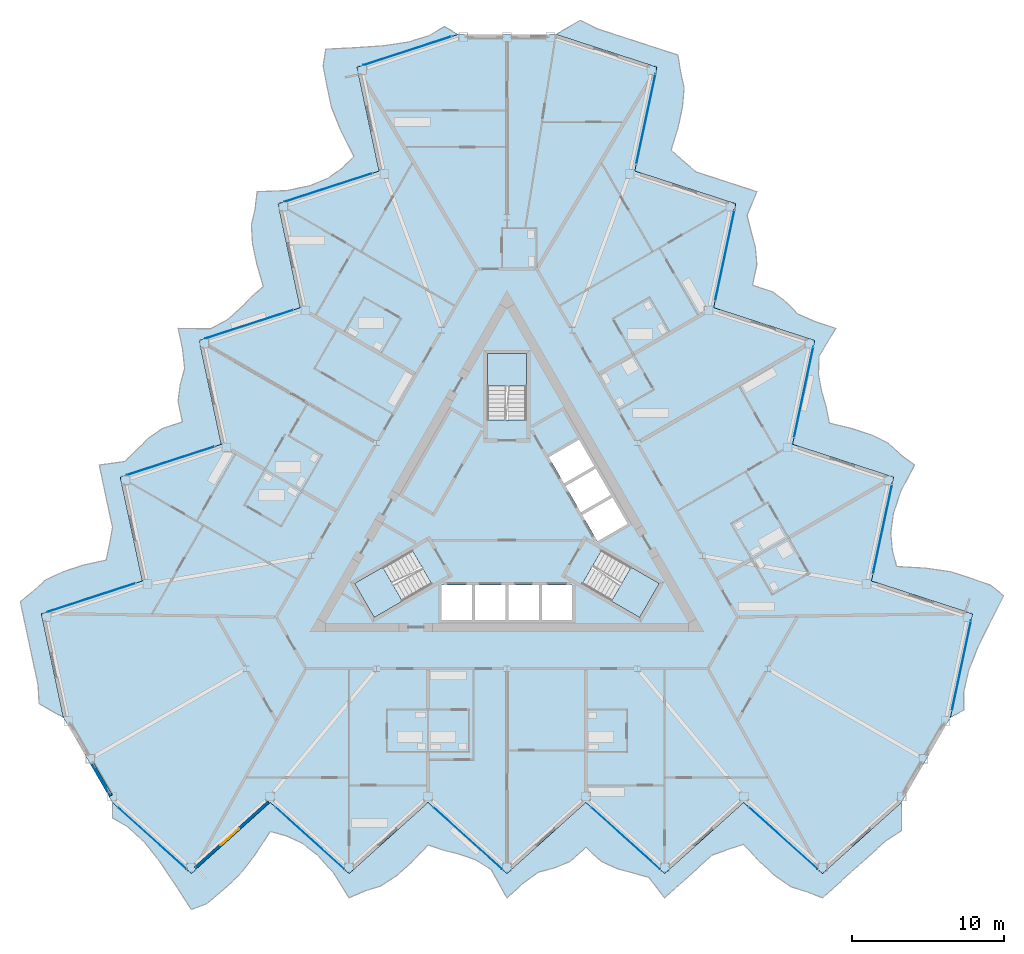
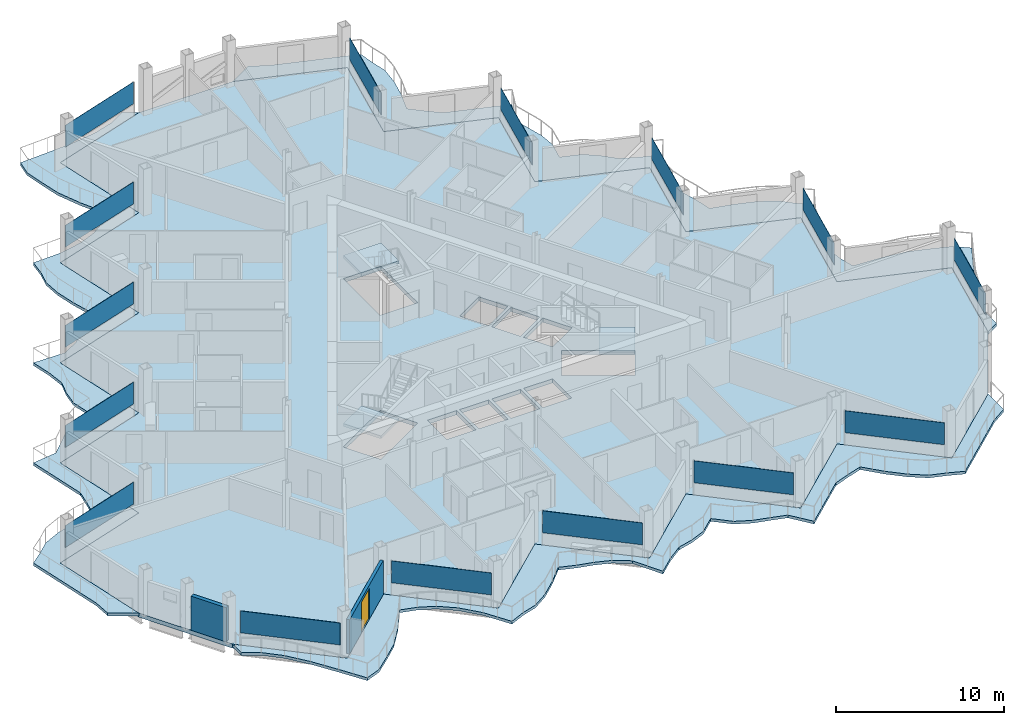
# One storey, part 12 of 26: 15 plates, 7 slabs, 2 walls, 1 door, 1 opening, 18 elements without a shape of their own.
"""IFC4 building model written with IfcOpenShell, lengths in metres."""

from ifc_helpers import new_model, si_unit, direction, frame, frame_2d, origin, origin_2d, place, context, subcontext, project, spatial, polyline, rectangle, outline, extrude, material, layer, layer_set, type_object, element, fill, aggregate, save


model = new_model("IFC4")

# Units and contexts
model_context = context("Model", 3, precision=1e-05, world=origin(), true_north=direction((0.0, 1.0)))
body_context = subcontext(model_context, "Body", "Model", "MODEL_VIEW")
ifc_project = project(units=[si_unit("LENGTHUNIT", "METRE"), si_unit("AREAUNIT", "SQUARE_METRE"), si_unit("VOLUMEUNIT", "CUBIC_METRE"), si_unit("PLANEANGLEUNIT", "RADIAN"), si_unit("MASSUNIT", "GRAM", prefix="KILO")], contexts=[model_context])

# Site, building, storey
site_placement = place(None, origin())
site = spatial("IfcSite", under=ifc_project, at=site_placement, CompositionType="ELEMENT")
building_placement = place(site_placement, origin())
building = spatial("IfcBuilding", under=site, at=building_placement, Name="Cormorant Prow Tower", CompositionType="ELEMENT")
storey_placement = place(building_placement, frame((0.0, 0.0, 325.60009765625)))
storey = spatial("IfcBuildingStorey", under=building, at=storey_placement, Name="L72", CompositionType="ELEMENT", Elevation=325.60009765625)

# Slabs
ifc_material_1 = material(Name="Concrete C40/50", Category="concrete")
ifc_layer_1 = layer(ifc_material_1, 0.199951171875)
ifc_layer_set_1 = layer_set([ifc_layer_1], Name="Concrete C40/50")
slab_type_1 = type_object("IfcSlabType", Name="Balcony slab 200", PredefinedType="FLOOR", material=ifc_layer_set_1)
slab_1_placement = place(storey_placement, frame((0.0, 0.0, -0.2001953125)))
element("IfcSlab", 1, at=slab_1_placement, inside=storey, type_object=slab_type_1, Name="Balcony slab S L72", PredefinedType="FLOOR", context=body_context, shape_type="SweptSolid", body=[
    extrude(outline(polyline([(-25.9736328125, -18.718017578125), (-25.9736328125, -19.734130859375), (-24.9345703125, -20.33837890625), (-23.895751953125, -21.299560546875), (-22.856689453125, -22.610595703125), (-21.81787109375, -24.16064453125), (-20.77880859375, -25.769287109375), (-19.739990234375, -25.367919921875), (-18.700927734375, -24.474609375), (-17.662109375, -23.5390625), (-16.623046875, -22.214111328125), (-15.584228515625, -20.627685546875), (-14.545166015625, -20.90966796875), (-13.50634765625, -21.380615234375), (-12.46728515625, -22.177490234375), (-11.428466796875, -23.3408203125), (-10.389404296875, -24.995361328125), (-9.3505859375, -24.540283203125), (-8.3115234375, -24.223876953125), (-7.272705078125, -23.5390625), (-6.233642578125, -22.603515625), (-5.19482421875, -21.515625), (-4.15576171875, -21.864990234375), (-3.116943359375, -22.123046875), (-2.077880859375, -22.488525390625), (-1.0390625, -23.129150390625), (0.0, -24.995361328125), (1.0390625, -24.06005859375), (2.077880859375, -23.300537109375), (3.116943359375, -23.0322265625), (4.15576171875, -22.603515625), (5.19482421875, -21.668212890625), (6.233642578125, -22.603515625), (7.272705078125, -23.083984375), (8.3115234375, -23.358154296875), (9.3505859375, -23.652099609375), (10.389404296875, -24.995361328125), (11.428466796875, -24.06005859375), (12.46728515625, -23.12451171875), (13.50634765625, -22.18896484375), (14.545166015625, -21.80859375), (15.584228515625, -21.474365234375), (16.623046875, -22.603515625), (17.662109375, -23.5390625), (18.700927734375, -24.267578125), (19.739990234375, -24.597412109375), (20.77880859375, -24.995361328125), (21.81787109375, -24.06005859375), (22.856689453125, -23.12451171875), (23.895751953125, -22.18896484375), (24.9345703125, -21.253662109375), (25.9736328125, -20.56982421875), (25.9736328125, -18.718017578125), (24.9345703125, -19.653564453125), (23.895751953125, -20.589111328125), (22.856689453125, -21.5244140625), (21.81787109375, -22.4599609375), (20.77880859375, -23.3955078125), (19.739990234375, -22.4599609375), (18.700927734375, -21.5244140625), (17.662109375, -20.589111328125), (16.623046875, -19.653564453125), (15.584228515625, -18.718017578125), (14.545166015625, -19.653564453125), (13.50634765625, -20.589111328125), (12.46728515625, -21.5244140625), (11.428466796875, -22.4599609375), (10.389404296875, -23.3955078125), (9.3505859375, -22.4599609375), (8.3115234375, -21.5244140625), (7.272705078125, -20.589111328125), (6.233642578125, -19.653564453125), (5.19482421875, -18.718017578125), (4.15576171875, -19.653564453125), (3.116943359375, -20.589111328125), (2.077880859375, -21.5244140625), (1.0390625, -22.4599609375), (0.0, -23.3955078125), (-1.0390625, -22.4599609375), (-2.077880859375, -21.5244140625), (-3.116943359375, -20.589111328125), (-4.15576171875, -19.653564453125), (-5.19482421875, -18.718017578125), (-6.233642578125, -19.653564453125), (-7.272705078125, -20.589111328125), (-8.3115234375, -21.5244140625), (-9.3505859375, -22.4599609375), (-10.389404296875, -23.3955078125), (-11.428466796875, -22.4599609375), (-12.46728515625, -21.5244140625), (-13.50634765625, -20.589111328125), (-14.545166015625, -19.653564453125), (-15.584228515625, -18.718017578125), (-16.623046875, -19.653564453125), (-17.662109375, -20.589111328125), (-18.700927734375, -21.5244140625), (-19.739990234375, -22.4599609375), (-20.77880859375, -23.3955078125), (-21.81787109375, -22.4599609375), (-22.856689453125, -21.5244140625), (-23.895751953125, -20.589111328125), (-24.9345703125, -19.653564453125), (-25.9736328125, -18.718017578125)])), origin(), (0.0, 0.0, 1.0), 0.2001953125),
])
slab_2_placement = place(storey_placement, frame((0.0, 0.0, -0.2001953125)))
element("IfcSlab", 2, at=slab_2_placement, inside=storey, type_object=slab_type_1, Name="Balcony slab ENE L72", PredefinedType="FLOOR", context=body_context, shape_type="SweptSolid", body=[
    extrude(outline(polyline([(29.197021484375, -13.134765625), (30.0771484375, -12.626708984375), (30.080810546875, -11.4248046875), (30.393798828125, -10.04443359375), (31.009521484375, -8.4892578125), (31.83251953125, -6.814453125), (32.706298828125, -5.1103515625), (31.839111328125, -4.411376953125), (30.546142578125, -3.958251953125), (29.21630859375, -3.526123046875), (27.549560546875, -3.288818359375), (25.65625, -3.182373046875), (25.380859375, -2.1416015625), (25.269287109375, -1.00634765625), (25.43994140625, 0.291748046875), (25.927978515625, 1.773193359375), (26.84130859375, 3.500244140625), (25.927734375, 4.17236328125), (25.13427734375, 4.913818359375), (24.021728515625, 5.47119140625), (22.692138671875, 5.9033203125), (21.23046875, 6.259033203125), (21.013671875, 7.33349609375), (20.717529296875, 8.3623046875), (20.5146484375, 9.44482421875), (20.550048828125, 10.664794921875), (21.646728515625, 12.497802734375), (20.317138671875, 12.9296875), (19.139892578125, 13.44970703125), (18.38818359375, 14.21533203125), (17.497314453125, 14.90087890625), (16.167724609375, 15.332763671875), (16.45849609375, 16.7001953125), (16.35498046875, 17.840087890625), (16.072998046875, 18.877197265625), (15.80810546875, 19.923828125), (16.451904296875, 21.4951171875), (15.122314453125, 21.92724609375), (13.792724609375, 22.359375), (12.463134765625, 22.791259765625), (11.6142578125, 23.500732421875), (10.80517578125, 24.2333984375), (11.263671875, 25.69775390625), (11.554443359375, 27.065185546875), (11.665771484375, 28.3291015625), (11.43212890625, 29.39404296875), (11.25732421875, 30.49267578125), (9.927734375, 30.9248046875), (8.59814453125, 31.356689453125), (7.2685546875, 31.788818359375), (5.93896484375, 32.220703125), (4.8271484375, 32.778564453125), (3.2236328125, 31.852783203125), (4.55322265625, 31.4208984375), (5.8828125, 30.98876953125), (7.21240234375, 30.556640625), (8.5419921875, 30.124755859375), (9.87158203125, 29.692626953125), (9.5810546875, 28.3251953125), (9.290283203125, 26.957763671875), (8.999755859375, 25.59033203125), (8.708984375, 24.222900390625), (8.418212890625, 22.855224609375), (9.748046875, 22.42333984375), (11.07763671875, 21.9912109375), (12.4072265625, 21.559326171875), (13.73681640625, 21.127197265625), (15.06640625, 20.6953125), (14.775634765625, 19.32763671875), (14.485107421875, 17.960205078125), (14.1943359375, 16.5927734375), (13.90380859375, 15.225341796875), (13.613037109375, 13.85791015625), (14.942626953125, 13.42578125), (16.272216796875, 12.993896484375), (17.601806640625, 12.561767578125), (18.931396484375, 12.129638671875), (20.260986328125, 11.69775390625), (19.970458984375, 10.330322265625), (19.6796875, 8.962646484375), (19.38916015625, 7.59521484375), (19.098388671875, 6.227783203125), (18.8076171875, 4.8603515625), (20.137451171875, 4.42822265625), (21.467041015625, 3.996337890625), (22.796630859375, 3.564208984375), (24.126220703125, 3.13232421875), (25.455810546875, 2.7001953125), (25.1650390625, 1.332763671875), (24.87451171875, -0.03466796875), (24.583740234375, -1.402099609375), (24.293212890625, -2.769775390625), (24.00244140625, -4.13720703125), (25.33203125, -4.569091796875), (26.66162109375, -5.001220703125), (27.9912109375, -5.43310546875), (29.32080078125, -5.865234375), (30.650390625, -6.29736328125), (30.35986328125, -7.664794921875), (30.069091796875, -9.0322265625), (29.778564453125, -10.399658203125), (29.48779296875, -11.76708984375), (29.197021484375, -13.134765625)])), origin(), (0.0, 0.0, 1.0), 0.2001953125),
])
slab_3_placement = place(storey_placement, frame((0.0, 0.0, -0.2001953125)))
element("IfcSlab", 3, at=slab_3_placement, inside=storey, type_object=slab_type_1, Name="Balcony slab WNW L72", PredefinedType="FLOOR", context=body_context, shape_type="SweptSolid", body=[
    extrude(outline(polyline([(-3.2236328125, 31.852783203125), (-4.103515625, 32.36083984375), (-5.146240234375, 31.76318359375), (-6.498291015625, 31.343994140625), (-8.15283203125, 31.099853515625), (-10.014892578125, 30.97509765625), (-11.927490234375, 30.879638671875), (-12.099365234375, 29.779052734375), (-11.84521484375, 28.432861328125), (-11.554443359375, 27.065185546875), (-10.926513671875, 25.5029296875), (-10.072021484375, 23.81005859375), (-10.835693359375, 23.05126953125), (-11.762939453125, 22.386962890625), (-12.97265625, 21.8857421875), (-14.49951171875, 21.567626953125), (-16.451904296875, 21.4951171875), (-16.5771484375, 20.367919921875), (-16.82275390625, 19.309814453125), (-16.7490234375, 18.06787109375), (-16.45849609375, 16.7001953125), (-16.03564453125, 15.256591796875), (-16.85791015625, 14.531494140625), (-17.600830078125, 13.7607421875), (-18.436767578125, 13.043701171875), (-19.510986328125, 12.46435546875), (-21.646728515625, 12.497802734375), (-21.35595703125, 11.13037109375), (-21.2177734375, 9.850830078125), (-21.5048828125, 8.81689453125), (-21.653076171875, 7.702880859375), (-21.362548828125, 6.335205078125), (-22.692138671875, 5.9033203125), (-23.62744140625, 5.24365234375), (-24.384521484375, 4.481201171875), (-25.158447265625, 3.728271484375), (-26.84130859375, 3.500244140625), (-26.55078125, 2.1328125), (-26.260009765625, 0.765380859375), (-25.969482421875, -0.602294921875), (-26.159423828125, -1.692138671875), (-26.389404296875, -2.759033203125), (-27.88671875, -3.09423828125), (-29.21630859375, -3.526123046875), (-30.36669921875, -4.061767578125), (-31.171875, -4.796630859375), (-32.0361328125, -5.497314453125), (-31.745361328125, -6.86474609375), (-31.454833984375, -8.232177734375), (-31.1640625, -9.599609375), (-30.87353515625, -10.96728515625), (-30.80078125, -12.208740234375), (-29.197021484375, -13.134765625), (-29.48779296875, -11.76708984375), (-29.778564453125, -10.399658203125), (-30.069091796875, -9.0322265625), (-30.35986328125, -7.664794921875), (-30.650390625, -6.29736328125), (-29.32080078125, -5.865234375), (-27.9912109375, -5.43310546875), (-26.66162109375, -5.001220703125), (-25.33203125, -4.569091796875), (-24.00244140625, -4.13720703125), (-24.293212890625, -2.769775390625), (-24.583740234375, -1.402099609375), (-24.87451171875, -0.03466796875), (-25.1650390625, 1.332763671875), (-25.455810546875, 2.7001953125), (-24.126220703125, 3.13232421875), (-22.796630859375, 3.564208984375), (-21.467041015625, 3.996337890625), (-20.137451171875, 4.42822265625), (-18.8076171875, 4.8603515625), (-19.098388671875, 6.227783203125), (-19.38916015625, 7.59521484375), (-19.6796875, 8.962646484375), (-19.970458984375, 10.330322265625), (-20.260986328125, 11.69775390625), (-18.931396484375, 12.129638671875), (-17.601806640625, 12.561767578125), (-16.272216796875, 12.993896484375), (-14.942626953125, 13.42578125), (-13.613037109375, 13.85791015625), (-13.90380859375, 15.225341796875), (-14.1943359375, 16.5927734375), (-14.485107421875, 17.960205078125), (-14.775634765625, 19.32763671875), (-15.06640625, 20.6953125), (-13.73681640625, 21.127197265625), (-12.4072265625, 21.559326171875), (-11.07763671875, 21.9912109375), (-9.748046875, 22.42333984375), (-8.418212890625, 22.855224609375), (-8.708984375, 24.222900390625), (-8.999755859375, 25.59033203125), (-9.290283203125, 26.957763671875), (-9.5810546875, 28.3251953125), (-9.87158203125, 29.692626953125), (-8.5419921875, 30.124755859375), (-7.21240234375, 30.556640625), (-5.8828125, 30.98876953125), (-4.55322265625, 31.4208984375), (-3.2236328125, 31.852783203125)])), origin(), (0.0, 0.0, 1.0), 0.2001953125),
])
ifc_material_2 = material(Name="Concrete C40/50", Category="concrete")
ifc_layer_2 = layer(ifc_material_2, 0.300048828125)
ifc_layer_set_2 = layer_set([ifc_layer_2], Name="Concrete C40/50")
slab_type_2 = type_object("IfcSlabType", Name="Post-tensioned flat slab 300", PredefinedType="FLOOR", material=ifc_layer_set_2)
slab_4_placement = place(storey_placement, frame((0.0, 0.0, -0.300048828125)))
element("IfcSlab", 4, at=slab_4_placement, inside=storey, type_object=slab_type_2, Name="Floor slab L72", PredefinedType="FLOOR", context=body_context, shape_type="SweptSolid", body=[
    extrude(outline(polyline([(-8.418212890625, 22.855224609375), (-15.06640625, 20.6953125), (-13.613037109375, 13.85791015625), (-20.260986328125, 11.69775390625), (-18.8076171875, 4.8603515625), (-25.455810546875, 2.7001953125), (-24.00244140625, -4.13720703125), (-30.650390625, -6.29736328125), (-29.197021484375, -13.134765625), (-27.58544921875, -15.926513671875), (-25.9736328125, -18.718017578125), (-20.77880859375, -23.3955078125), (-15.584228515625, -18.718017578125), (-10.389404296875, -23.3955078125), (-5.19482421875, -18.718017578125), (0.0, -23.3955078125), (5.19482421875, -18.718017578125), (10.389404296875, -23.3955078125), (15.584228515625, -18.718017578125), (20.77880859375, -23.3955078125), (25.9736328125, -18.718017578125), (27.58544921875, -15.926513671875), (29.197021484375, -13.134765625), (30.650390625, -6.29736328125), (24.00244140625, -4.13720703125), (25.455810546875, 2.7001953125), (18.8076171875, 4.8603515625), (20.260986328125, 11.69775390625), (13.613037109375, 13.85791015625), (15.06640625, 20.6953125), (8.418212890625, 22.855224609375), (9.87158203125, 29.692626953125), (3.2236328125, 31.852783203125), (0.0, 31.852783203125), (-3.2236328125, 31.852783203125), (-9.87158203125, 29.692626953125), (-8.418212890625, 22.855224609375)]), holes=[polyline([(-4.300048828125, -4.39990234375), (-2.300048828125, -4.39990234375), (-2.300048828125, -6.699951171875), (-4.300048828125, -6.699951171875), (-4.300048828125, -4.39990234375)]), polyline([(-0.10009765625, -4.39990234375), (-0.10009765625, -6.699951171875), (-2.10009765625, -6.699951171875), (-2.10009765625, -4.39990234375), (-0.10009765625, -4.39990234375)]), polyline([(2.10009765625, -6.699951171875), (0.10009765625, -6.699951171875), (0.10009765625, -4.39990234375), (2.10009765625, -4.39990234375), (2.10009765625, -6.699951171875)]), polyline([(2.300048828125, -6.699951171875), (2.300048828125, -4.39990234375), (4.300048828125, -4.39990234375), (4.300048828125, -6.699951171875), (2.300048828125, -6.699951171875)]), polyline([(5.96044921875, -1.52392578125), (4.96044921875, 0.2080078125), (6.952392578125, 1.358154296875), (7.952392578125, -0.373779296875), (5.96044921875, -1.52392578125)]), polyline([(3.860595703125, 2.11328125), (5.852294921875, 3.263427734375), (6.852294921875, 1.53125), (4.860595703125, 0.38134765625), (3.860595703125, 2.11328125)]), polyline([(4.75244140625, 5.168701171875), (5.75244140625, 3.4365234375), (3.760498046875, 2.28662109375), (2.760498046875, 4.018798828125), (4.75244140625, 5.168701171875)]), polyline([(-4.947509765625, -4.3505859375), (-8.738037109375, -6.5390625), (-10.031982421875, -4.2978515625), (-6.241455078125, -2.109375), (-4.947509765625, -4.3505859375)]), polyline([(10.031982421875, -4.2978515625), (8.738037109375, -6.5390625), (4.947509765625, -4.3505859375), (6.241455078125, -2.109375), (10.031982421875, -4.2978515625)]), polyline([(1.2939453125, 10.8369140625), (1.2939453125, 6.459716796875), (-1.2939453125, 6.459716796875), (-1.2939453125, 10.8369140625), (1.2939453125, 10.8369140625)])]), origin(), (0.0, 0.0, 1.0), 0.300048828125),
])

# Curtain wall, plate
ifc_material_3 = material(Name="Aluminium 6063-T6", Category="aluminium")
ifc_layer_3 = layer(ifc_material_3, 0.159912109375)
ifc_layer_set_3 = layer_set([ifc_layer_3], Name="Aluminium 6063-T6")
curtain_wall_type = type_object("IfcCurtainWallType", Name="Residential unitised curtain wall 160", PredefinedType="NOTDEFINED", material=ifc_layer_set_3)
curtain_wall_1_placement = place(storey_placement, origin())
curtain_wall_1 = element("IfcCurtainWall", 5, at=curtain_wall_1_placement, inside=storey, type_object=curtain_wall_type, Name="Residential curtain wall S00", PredefinedType="NOTDEFINED")
ifc_material_4 = material(Name="Clear glass", Category="glass")
ifc_layer_4 = layer(ifc_material_4, 0.02392578125)
ifc_layer_set_4 = layer_set([ifc_layer_4], Name="Clear glass")
plate_type = type_object("IfcPlateType", Name="Residential glass panel 24", PredefinedType="CURTAIN_PANEL", material=ifc_layer_set_4)
plate_1_placement = place(storey_placement, frame((-23.357666015625, -21.073486328125, 0.89990234375), z_axis=(0.0, 0.0, 1.0), x_axis=(0.74314478215, -0.669130654479, 0.0)))
plate_1 = element("IfcPlate", 6, at=plate_1_placement, type_object=plate_type, Name="Residential glass panel S00", PredefinedType="CURTAIN_PANEL", context=body_context, shape_type="SweptSolid", body=[
    extrude(rectangle(XDim=6.072265625, YDim=0.02392578125, at=origin_2d()), origin(), (0.0, 0.0, 1.0), 1.587890625),
])
aggregate(curtain_wall_1, [plate_1])

curtain_wall_2_placement = place(storey_placement, origin())
curtain_wall_2 = element("IfcCurtainWall", 7, at=curtain_wall_2_placement, inside=storey, type_object=curtain_wall_type, Name="Residential curtain wall S02", PredefinedType="NOTDEFINED")
plate_2_placement = place(storey_placement, frame((-12.96826171875, -21.073486328125, 0.89990234375), z_axis=(0.0, 0.0, 1.0), x_axis=(0.74314478215, -0.669130654479, 0.0)))
plate_2 = element("IfcPlate", 8, at=plate_2_placement, type_object=plate_type, Name="Residential glass panel S02", PredefinedType="CURTAIN_PANEL", context=body_context, shape_type="SweptSolid", body=[
    extrude(rectangle(XDim=6.072265625, YDim=0.02392578125, at=origin_2d()), origin(), (0.0, 0.0, 1.0), 1.587890625),
])
aggregate(curtain_wall_2, [plate_2])

curtain_wall_3_placement = place(storey_placement, origin())
curtain_wall_3 = element("IfcCurtainWall", 9, at=curtain_wall_3_placement, inside=storey, type_object=curtain_wall_type, Name="Residential curtain wall S04", PredefinedType="NOTDEFINED")
plate_3_placement = place(storey_placement, frame((-2.578857421875, -21.073486328125, 0.89990234375), z_axis=(0.0, 0.0, 1.0), x_axis=(0.74314478215, -0.669130654479, 0.0)))
plate_3 = element("IfcPlate", 10, at=plate_3_placement, type_object=plate_type, Name="Residential glass panel S04", PredefinedType="CURTAIN_PANEL", context=body_context, shape_type="SweptSolid", body=[
    extrude(rectangle(XDim=6.072265625, YDim=0.02392578125, at=origin_2d()), origin(), (0.0, 0.0, 1.0), 1.587890625),
])
aggregate(curtain_wall_3, [plate_3])

curtain_wall_4_placement = place(storey_placement, origin())
curtain_wall_4 = element("IfcCurtainWall", 11, at=curtain_wall_4_placement, inside=storey, type_object=curtain_wall_type, Name="Residential curtain wall S06", PredefinedType="NOTDEFINED")
plate_4_placement = place(storey_placement, frame((7.810546875, -21.073486328125, 0.89990234375), z_axis=(0.0, 0.0, 1.0), x_axis=(0.74314478215, -0.669130654479, 0.0)))
plate_4 = element("IfcPlate", 12, at=plate_4_placement, type_object=plate_type, Name="Residential glass panel S06", PredefinedType="CURTAIN_PANEL", context=body_context, shape_type="SweptSolid", body=[
    extrude(rectangle(XDim=6.072265625, YDim=0.02392578125, at=origin_2d()), origin(), (0.0, 0.0, 1.0), 1.587890625),
])
aggregate(curtain_wall_4, [plate_4])

curtain_wall_5_placement = place(storey_placement, origin())
curtain_wall_5 = element("IfcCurtainWall", 13, at=curtain_wall_5_placement, inside=storey, type_object=curtain_wall_type, Name="Residential curtain wall S08", PredefinedType="NOTDEFINED")
plate_5_placement = place(storey_placement, frame((18.199951171875, -21.073486328125, 0.89990234375), z_axis=(0.0, 0.0, 1.0), x_axis=(0.74314478215, -0.669130654479, 0.0)))
plate_5 = element("IfcPlate", 14, at=plate_5_placement, type_object=plate_type, Name="Residential glass panel S08", PredefinedType="CURTAIN_PANEL", context=body_context, shape_type="SweptSolid", body=[
    extrude(rectangle(XDim=6.072265625, YDim=0.02392578125, at=origin_2d()), origin(), (0.0, 0.0, 1.0), 1.587890625),
])
aggregate(curtain_wall_5, [plate_5])

curtain_wall_6_placement = place(storey_placement, origin())
curtain_wall_6 = element("IfcCurtainWall", 15, at=curtain_wall_6_placement, inside=storey, type_object=curtain_wall_type, Name="Residential curtain wall ENE00", PredefinedType="NOTDEFINED")
plate_6_placement = place(storey_placement, frame((29.928955078125, -9.69140625, 0.89990234375), z_axis=(0.0, 0.0, 1.0), x_axis=(0.207911691091, 0.978147600676, 0.0)))
plate_6 = element("IfcPlate", 16, at=plate_6_placement, type_object=plate_type, Name="Residential glass panel ENE00", PredefinedType="CURTAIN_PANEL", context=body_context, shape_type="SweptSolid", body=[
    extrude(rectangle(XDim=6.072265625, YDim=0.02392578125, at=origin_2d()), origin(), (0.0, 0.0, 1.0), 1.587890625),
])
aggregate(curtain_wall_6, [plate_6])

curtain_wall_7_placement = place(storey_placement, origin())
curtain_wall_7 = element("IfcCurtainWall", 17, at=curtain_wall_7_placement, inside=storey, type_object=curtain_wall_type, Name="Residential curtain wall ENE02", PredefinedType="NOTDEFINED")
plate_7_placement = place(storey_placement, frame((24.734375, -0.694091796875, 0.89990234375), z_axis=(0.0, 0.0, 1.0), x_axis=(0.207911691091, 0.978147600676, 0.0)))
plate_7 = element("IfcPlate", 18, at=plate_7_placement, type_object=plate_type, Name="Residential glass panel ENE02", PredefinedType="CURTAIN_PANEL", context=body_context, shape_type="SweptSolid", body=[
    extrude(rectangle(XDim=6.072265625, YDim=0.02392578125, at=origin_2d()), origin(), (0.0, 0.0, 1.0), 1.587890625),
])
aggregate(curtain_wall_7, [plate_7])

curtain_wall_8_placement = place(storey_placement, origin())
curtain_wall_8 = element("IfcCurtainWall", 19, at=curtain_wall_8_placement, inside=storey, type_object=curtain_wall_type, Name="Residential curtain wall ENE04", PredefinedType="NOTDEFINED")
plate_8_placement = place(storey_placement, frame((19.53955078125, 8.303466796875, 0.89990234375), z_axis=(0.0, 0.0, 1.0), x_axis=(0.207911691091, 0.978147600676, 0.0)))
plate_8 = element("IfcPlate", 20, at=plate_8_placement, type_object=plate_type, Name="Residential glass panel ENE04", PredefinedType="CURTAIN_PANEL", context=body_context, shape_type="SweptSolid", body=[
    extrude(rectangle(XDim=6.072265625, YDim=0.02392578125, at=origin_2d()), origin(), (0.0, 0.0, 1.0), 1.587890625),
])
aggregate(curtain_wall_8, [plate_8])

curtain_wall_9_placement = place(storey_placement, origin())
curtain_wall_9 = element("IfcCurtainWall", 21, at=curtain_wall_9_placement, inside=storey, type_object=curtain_wall_type, Name="Residential curtain wall ENE06", PredefinedType="NOTDEFINED")
plate_9_placement = place(storey_placement, frame((14.344970703125, 17.301025390625, 0.89990234375), z_axis=(0.0, 0.0, 1.0), x_axis=(0.207911691091, 0.978147600676, 0.0)))
plate_9 = element("IfcPlate", 22, at=plate_9_placement, type_object=plate_type, Name="Residential glass panel ENE06", PredefinedType="CURTAIN_PANEL", context=body_context, shape_type="SweptSolid", body=[
    extrude(rectangle(XDim=6.072265625, YDim=0.02392578125, at=origin_2d()), origin(), (0.0, 0.0, 1.0), 1.587890625),
])
aggregate(curtain_wall_9, [plate_9])

curtain_wall_10_placement = place(storey_placement, origin())
curtain_wall_10 = element("IfcCurtainWall", 23, at=curtain_wall_10_placement, inside=storey, type_object=curtain_wall_type, Name="Residential curtain wall ENE08", PredefinedType="NOTDEFINED")
plate_10_placement = place(storey_placement, frame((9.150146484375, 26.298583984375, 0.89990234375), z_axis=(0.0, 0.0, 1.0), x_axis=(0.207911662, 0.978147606859, 0.0)))
plate_10 = element("IfcPlate", 24, at=plate_10_placement, type_object=plate_type, Name="Residential glass panel ENE08", PredefinedType="CURTAIN_PANEL", context=body_context, shape_type="SweptSolid", body=[
    extrude(rectangle(XDim=6.072265625, YDim=0.02392578125, at=origin_2d()), origin(), (0.0, 0.0, 1.0), 1.587890625),
])
aggregate(curtain_wall_10, [plate_10])

curtain_wall_11_placement = place(storey_placement, origin())
curtain_wall_11 = element("IfcCurtainWall", 25, at=curtain_wall_11_placement, inside=storey, type_object=curtain_wall_type, Name="Residential curtain wall WNW00", PredefinedType="NOTDEFINED")
plate_11_placement = place(storey_placement, frame((-6.571533203125, 30.76513671875, 0.89990234375), z_axis=(0.0, 0.0, 1.0), x_axis=(-0.951056549389, -0.309016892523, 0.0)))
plate_11 = element("IfcPlate", 26, at=plate_11_placement, type_object=plate_type, Name="Residential glass panel WNW00", PredefinedType="CURTAIN_PANEL", context=body_context, shape_type="SweptSolid", body=[
    extrude(rectangle(XDim=6.072265625, YDim=0.02392578125, at=origin_2d()), origin(), (0.0, 0.0, 1.0), 1.587890625),
])
aggregate(curtain_wall_11, [plate_11])

curtain_wall_12_placement = place(storey_placement, origin())
curtain_wall_12 = element("IfcCurtainWall", 27, at=curtain_wall_12_placement, inside=storey, type_object=curtain_wall_type, Name="Residential curtain wall WNW02", PredefinedType="NOTDEFINED")
plate_12_placement = place(storey_placement, frame((-11.76611328125, 21.767578125, 0.89990234375), z_axis=(0.0, 0.0, 1.0), x_axis=(-0.951056549389, -0.309016892523, 0.0)))
plate_12 = element("IfcPlate", 28, at=plate_12_placement, type_object=plate_type, Name="Residential glass panel WNW02", PredefinedType="CURTAIN_PANEL", context=body_context, shape_type="SweptSolid", body=[
    extrude(rectangle(XDim=6.072265625, YDim=0.02392578125, at=origin_2d()), origin(), (0.0, 0.0, 1.0), 1.587890625),
])
aggregate(curtain_wall_12, [plate_12])

curtain_wall_13_placement = place(storey_placement, origin())
curtain_wall_13 = element("IfcCurtainWall", 29, at=curtain_wall_13_placement, inside=storey, type_object=curtain_wall_type, Name="Residential curtain wall WNW04", PredefinedType="NOTDEFINED")
plate_13_placement = place(storey_placement, frame((-16.9609375, 12.77001953125, 0.89990234375), z_axis=(0.0, 0.0, 1.0), x_axis=(-0.951056507348, -0.309017021913, 0.0)))
plate_13 = element("IfcPlate", 30, at=plate_13_placement, type_object=plate_type, Name="Residential glass panel WNW04", PredefinedType="CURTAIN_PANEL", context=body_context, shape_type="SweptSolid", body=[
    extrude(rectangle(XDim=6.072265625, YDim=0.02392578125, at=origin_2d()), origin(), (0.0, 0.0, 1.0), 1.587890625),
])
aggregate(curtain_wall_13, [plate_13])

curtain_wall_14_placement = place(storey_placement, origin())
curtain_wall_14 = element("IfcCurtainWall", 31, at=curtain_wall_14_placement, inside=storey, type_object=curtain_wall_type, Name="Residential curtain wall WNW06", PredefinedType="NOTDEFINED")
plate_14_placement = place(storey_placement, frame((-22.155517578125, 3.7724609375, 0.89990234375), z_axis=(0.0, 0.0, 1.0), x_axis=(-0.951056507348, -0.309017021913, 0.0)))
plate_14 = element("IfcPlate", 32, at=plate_14_placement, type_object=plate_type, Name="Residential glass panel WNW06", PredefinedType="CURTAIN_PANEL", context=body_context, shape_type="SweptSolid", body=[
    extrude(rectangle(XDim=6.072265625, YDim=0.02392578125, at=origin_2d()), origin(), (0.0, 0.0, 1.0), 1.587890625),
])
aggregate(curtain_wall_14, [plate_14])

curtain_wall_15_placement = place(storey_placement, origin())
curtain_wall_15 = element("IfcCurtainWall", 33, at=curtain_wall_15_placement, inside=storey, type_object=curtain_wall_type, Name="Residential curtain wall WNW08", PredefinedType="NOTDEFINED")
plate_15_placement = place(storey_placement, frame((-27.350341796875, -5.224853515625, 0.89990234375), z_axis=(0.0, 0.0, 1.0), x_axis=(-0.951056507348, -0.309017021913, 0.0)))
plate_15 = element("IfcPlate", 34, at=plate_15_placement, type_object=plate_type, Name="Residential glass panel WNW08", PredefinedType="CURTAIN_PANEL", context=body_context, shape_type="SweptSolid", body=[
    extrude(rectangle(XDim=6.072265625, YDim=0.02392578125, at=origin_2d()), origin(), (0.0, 0.0, 1.0), 1.587890625),
])
aggregate(curtain_wall_15, [plate_15])

# Stair, slab
ifc_material_5 = material(Name="Exit stair 18 risers")
stair_type = type_object("IfcStairType", Name="Exit stair 18 risers", PredefinedType="HALF_TURN_STAIR", material=ifc_material_5)
stair_1_placement = place(storey_placement, origin())
stair_1 = element("IfcStair", 35, at=stair_1_placement, inside=storey, type_object=stair_type, Name="L72 Exit stair ST1", PredefinedType="HALF_TURN_STAIR")
ifc_material_6 = material(Name="Concrete 5000 psi", Category="concrete")
ifc_layer_5 = layer(ifc_material_6, 0.199951171875)
ifc_layer_set_5 = layer_set([ifc_layer_5], Name="Concrete 5000 psi")
slab_type_3 = type_object("IfcSlabType", Name="Stair landing 200", PredefinedType="LANDING", material=ifc_layer_set_5)
slab_5_placement = place(storey_placement, frame((0.0, 0.0, 1.5)))
slab_5 = element("IfcSlab", 36, at=slab_5_placement, type_object=slab_type_3, Name="ST1 landing 1", PredefinedType="LANDING", context=body_context, shape_type="SweptSolid", body=[
    extrude(outline(polyline([(-8.17431640625, -3.225341796875), (-10.031982421875, -4.2978515625), (-8.738037109375, -6.5390625), (-6.88037109375, -5.466552734375), (-8.17431640625, -3.225341796875)])), origin(), (0.0, 0.0, 1.0), 0.199951171875),
])
aggregate(stair_1, [slab_5])

stair_2_placement = place(storey_placement, origin())
stair_2 = element("IfcStair", 37, at=stair_2_placement, inside=storey, type_object=stair_type, Name="L72 Exit stair ST2", PredefinedType="HALF_TURN_STAIR")
slab_6_placement = place(storey_placement, frame((0.0, 0.0, 1.5)))
slab_6 = element("IfcSlab", 38, at=slab_6_placement, type_object=slab_type_3, Name="ST2 landing 1", PredefinedType="LANDING", context=body_context, shape_type="SweptSolid", body=[
    extrude(outline(polyline([(6.88037109375, -5.466552734375), (8.738037109375, -6.5390625), (10.031982421875, -4.2978515625), (8.17431640625, -3.225341796875), (6.88037109375, -5.466552734375)])), origin(), (0.0, 0.0, 1.0), 0.199951171875),
])
aggregate(stair_2, [slab_6])

stair_3_placement = place(storey_placement, origin())
stair_3 = element("IfcStair", 39, at=stair_3_placement, inside=storey, type_object=stair_type, Name="L72 Exit stair ST3", PredefinedType="HALF_TURN_STAIR")
slab_7_placement = place(storey_placement, frame((0.0, 0.0, 1.5)))
slab_7 = element("IfcSlab", 40, at=slab_7_placement, type_object=slab_type_3, Name="ST3 landing 1", PredefinedType="LANDING", context=body_context, shape_type="SweptSolid", body=[
    extrude(outline(polyline([(1.2939453125, 8.69189453125), (1.2939453125, 10.8369140625), (-1.2939453125, 10.8369140625), (-1.2939453125, 8.69189453125), (1.2939453125, 8.69189453125)])), origin(), (0.0, 0.0, 1.0), 0.199951171875),
])
aggregate(stair_3, [slab_7])

# Wall
ifc_material_7 = material(Name="Terracotta", Category="masonry")
ifc_layer_6 = layer(ifc_material_7, 0.25)
ifc_layer_set_6 = layer_set([ifc_layer_6], Name="Terracotta")
wall_type_1 = type_object("IfcWallType", Name="Terracotta bay wall 250", PredefinedType="SOLIDWALL", material=ifc_layer_set_6)
wall_1_placement = place(storey_placement, frame((-27.2900390625, -16.18798828125, 0.0), z_axis=(0.0, 0.0, 1.0), x_axis=(0.50001992892, -0.866013897511, 0.0)))
element("IfcWall", 41, at=wall_1_placement, inside=storey, type_object=wall_type_1, Name="Terracotta bay wall WSW01", PredefinedType="SOLIDWALL", context=body_context, shape_type="SweptSolid", body=[
    extrude(rectangle(XDim=2.41552734375, YDim=0.25, at=frame_2d((1.207763671875, 0.0))), origin(), (0.0, 0.0, 1.0), 2.48779296875),
])

# Wall, opening, door
ifc_material_8 = material(Name="Terracotta", Category="masonry")
ifc_layer_7 = layer(ifc_material_8, 0.199951171875)
ifc_layer_set_7 = layer_set([ifc_layer_7], Name="Terracotta")
wall_type_2 = type_object("IfcWallType", Name="Terracotta jamb wall 200", PredefinedType="SOLIDWALL", material=ifc_layer_set_7)
wall_2_placement = place(storey_placement, frame((-20.523193359375, -23.03076171875, 0.0), z_axis=(0.0, 0.0, 1.0), x_axis=(0.743138937876, 0.669137145145, 0.0)))
wall_2 = element("IfcWall", 42, at=wall_2_placement, inside=storey, type_object=wall_type_2, Name="Terracotta jamb wall S01", PredefinedType="SOLIDWALL", context=body_context, shape_type="SweptSolid", body=[
    extrude(rectangle(XDim=6.49267578125, YDim=0.199951171875, at=frame_2d((3.246337890625, 0.0))), origin(), (0.0, 0.0, 1.0), 2.48779296875),
])
opening_placement = place(wall_2_placement, frame((2.260986328125, 0.0, 0.0)))
opening = element("IfcOpeningElement", 43, at=opening_placement, cuts=wall_2, Name="Opening ED72.01", PredefinedType="OPENING", context=body_context, shape_type="SweptSolid", body=[
    extrude(rectangle(XDim=1.60009765625, YDim=2.25, at=frame_2d((0.800048828125, 1.125))), frame((0.0, 0.10986328125, 0.0), z_axis=(0.0, -1.0, 0.0), x_axis=(1.0, 0.0, 0.0)), (0.0, 0.0, 1.0), 0.219970703125),
])
ifc_material_9 = material(Name="Aluminium 6063-T6", Category="aluminium")
door_type = type_object("IfcDoorType", Name="Balcony door 1600x2250", OperationType="DOUBLE_DOOR_SINGLE_SWING", PredefinedType="DOOR", material=ifc_material_9)
door_placement = place(opening_placement, origin())
door = element("IfcDoor", 44, at=door_placement, inside=storey, type_object=door_type, Name="Balcony door S01 ED72.01", OperationType="DOUBLE_DOOR_SINGLE_SWING", OverallHeight=2.25, OverallWidth=1.60009765625, PredefinedType="DOOR", context=body_context, shape_type="SweptSolid", body=[
    extrude(rectangle(XDim=1.60009765625, YDim=2.25, at=frame_2d((0.800048828125, 1.125))), frame((0.0, 0.02490234375, 0.0), z_axis=(0.0, -1.0, 0.0), x_axis=(1.0, 0.0, 0.0)), (0.0, 0.0, 1.0), 0.050048828125),
])
fill(opening, door)

save(model, "model.ifc")
